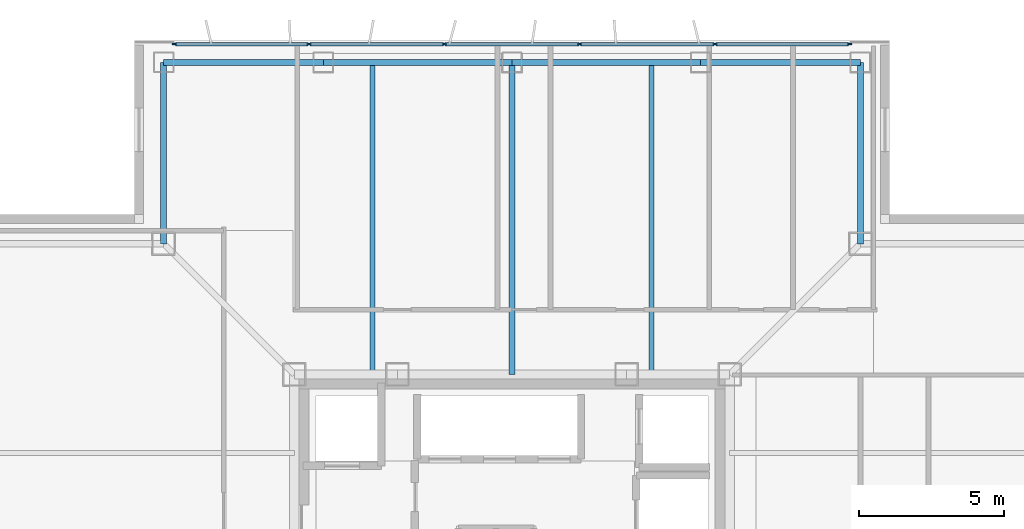
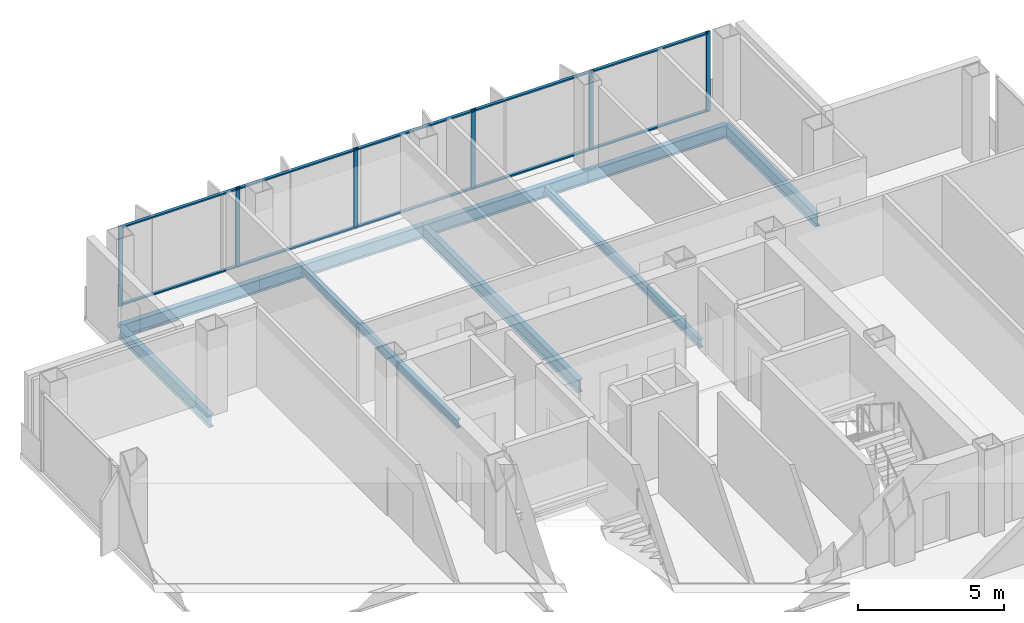
# One storey, part 6 of 15: 16 members, 9 beams, 1 element without a shape of its own.
"""IFC4 building model written with IfcOpenShell, lengths in metres."""

from ifc_helpers import new_model, si_unit, direction, frame, origin, origin_2d, place, context, subcontext, project, spatial, rectangle, i_section, extrude, material, layer, layer_set, material_profile, profile_set, type_object, element, aggregate, save


model = new_model("IFC4")

# Units and contexts
model_context = context("Model", 3, precision=1e-05, world=origin(), true_north=direction((0.0, 1.0)))
body_context = subcontext(model_context, "Body", "Model", "MODEL_VIEW")
ifc_project = project(units=[si_unit("LENGTHUNIT", "METRE"), si_unit("AREAUNIT", "SQUARE_METRE"), si_unit("VOLUMEUNIT", "CUBIC_METRE"), si_unit("PLANEANGLEUNIT", "RADIAN"), si_unit("MASSUNIT", "GRAM", prefix="KILO")], contexts=[model_context])

# Site, building, storey
site_placement = place(None, origin())
site = spatial("IfcSite", under=ifc_project, at=site_placement, CompositionType="ELEMENT")
building_placement = place(site_placement, origin())
building = spatial("IfcBuilding", under=site, at=building_placement, Name="Trevonay Congress Spire", CompositionType="ELEMENT")
storey_placement = place(building_placement, frame((0.0, 0.0, 250.39990234375)))
storey = spatial("IfcBuildingStorey", under=building, at=storey_placement, Name="L65", CompositionType="ELEMENT", Elevation=250.39990234375)

# Beams
ifc_material_1 = material(Name="Steel ASTM A572 Grade 50", Category="steel")
ifc_material_profile_1 = material_profile(ifc_material_1, i_section(OverallWidth=0.2119140625, OverallDepth=0.5439453125, WebThickness=0.01318359375, FlangeThickness=0.021240234375, FilletRadius=0.014892578125, at=origin_2d()), Name="W530x123")
ifc_profile_set_1 = profile_set([ifc_material_profile_1], Name="Steel ASTM A572 Grade 50")
beam_type_1 = type_object("IfcBeamType", Name="BM-GIRD-W530X123", PredefinedType="BEAM", material=ifc_profile_set_1)
beam_1_placement = place(storey_placement, frame((0.0, 7.5, -0.511962890625), z_axis=(0.0, 1.0, 0.0), x_axis=(-1.0, 0.0, 0.0)))
element("IfcBeam", 1, at=beam_1_placement, inside=storey, type_object=beam_type_1, Name="L65 structural beam BM-L65-GC-N", PredefinedType="BEAM", context=body_context, shape_type="SweptSolid", body=[
    extrude(i_section(OverallWidth=0.2119140625, OverallDepth=0.5439453125, WebThickness=0.01318359375, FlangeThickness=0.021240234375, FilletRadius=0.014892578125, at=origin_2d()), origin(), (0.0, 0.0, 1.0), 10.75),
])
ifc_material_profile_2 = material_profile(ifc_material_1, i_section(OverallWidth=0.208984375, OverallDepth=0.532958984375, WebThickness=0.01025390625, FlangeThickness=0.015625, FilletRadius=0.014892578125, at=origin_2d()), Name="W530x92")
ifc_profile_set_2 = profile_set([ifc_material_profile_2], Name="Steel ASTM A572 Grade 50")
beam_type_2 = type_object("IfcBeamType", Name="BM-RING-W530X92", PredefinedType="BEAM", material=ifc_profile_set_2)
beam_2_placement = place(storey_placement, frame((-12.0, 18.25, -0.50634765625), z_axis=(1.0, 0.0, 0.0), x_axis=(0.0, 1.0, 0.0)))
element("IfcBeam", 2, at=beam_2_placement, inside=storey, type_object=beam_type_2, Name="L65 structural beam BM-L65-PN1", PredefinedType="BEAM", context=body_context, shape_type="SweptSolid", body=[
    extrude(i_section(OverallWidth=0.208984375, OverallDepth=0.532958984375, WebThickness=0.01025390625, FlangeThickness=0.015625, FilletRadius=0.014892578125, at=origin_2d()), origin(), (0.0, 0.0, 1.0), 5.5),
])
for number, where, z_axis, x_axis, name in (
    (3, (-6.5, 18.25, -0.50634765625), (1.0, 0.0, 0.0), (0.0, 1.0, 0.0), "L65 structural beam BM-L65-PN2"),
    (4, (0.0, 18.25, -0.50634765625), (1.0, 0.0, 0.0), (0.0, 1.0, 0.0), "L65 structural beam BM-L65-PN3"),
):
    element("IfcBeam", number, at=place(storey_placement, frame(where, z_axis=z_axis, x_axis=x_axis)), inside=storey, type_object=beam_type_2, Name=name, PredefinedType="BEAM", context=body_context, shape_type="SweptSolid", body=[
        extrude(i_section(OverallWidth=0.208984375, OverallDepth=0.532958984375, WebThickness=0.01025390625, FlangeThickness=0.015625, FilletRadius=0.014892578125, at=origin_2d()), origin(), (0.0, 0.0, 1.0), 6.5),
    ])
beam_3_placement = place(storey_placement, frame((6.5, 18.25, -0.50634765625), z_axis=(1.0, 0.0, 0.0), x_axis=(0.0, 1.0, 0.0)))
element("IfcBeam", 5, at=beam_3_placement, inside=storey, type_object=beam_type_2, Name="L65 structural beam BM-L65-PN4", PredefinedType="BEAM", context=body_context, shape_type="SweptSolid", body=[
    extrude(i_section(OverallWidth=0.208984375, OverallDepth=0.532958984375, WebThickness=0.01025390625, FlangeThickness=0.015625, FilletRadius=0.014892578125, at=origin_2d()), origin(), (0.0, 0.0, 1.0), 5.5),
])
for number, where, z_axis, x_axis, name in (
    (6, (12.0, 18.25, -0.50634765625), (0.0, -1.0, 0.0), (1.0, 0.0, 0.0), "L65 structural beam BM-L65-N1NE"),
    (7, (-12.0, 18.25, -0.50634765625), (0.0, -1.0, 0.0), (1.0, 0.0, 0.0), "L65 structural beam BM-L65-N1NW"),
):
    element("IfcBeam", number, at=place(storey_placement, frame(where, z_axis=z_axis, x_axis=x_axis)), inside=storey, type_object=beam_type_2, Name=name, PredefinedType="BEAM", context=body_context, shape_type="SweptSolid", body=[
        extrude(i_section(OverallWidth=0.208984375, OverallDepth=0.532958984375, WebThickness=0.01025390625, FlangeThickness=0.015625, FilletRadius=0.014892578125, at=origin_2d()), origin(), (0.0, 0.0, 1.0), 6.25),
    ])

# Curtain wall, members
ifc_material_2 = material(Name="Pale Anodised Aluminium EN AW-6063-T6", Category="aluminium")
ifc_layer = layer(ifc_material_2, 0.1650390625, Name="Pale Anodised Aluminium EN AW-6063-T6")
ifc_layer_set = layer_set([ifc_layer], Name="Pale Anodised Aluminium EN AW-6063-T6")
curtain_wall_type = type_object("IfcCurtainWallType", Name="CW-SYS05-DIPLOM-PALE-METAL", PredefinedType="NOTDEFINED", material=ifc_layer_set)
curtain_wall_placement = place(storey_placement, origin())
curtain_wall = element("IfcCurtainWall", 8, at=curtain_wall_placement, inside=storey, type_object=curtain_wall_type, Name="L65 N unitised curtain wall", PredefinedType="NOTDEFINED")
ifc_material_profile_3 = material_profile(ifc_material_2, rectangle(XDim=0.06005859375, YDim=0.159912109375, at=origin_2d()), Name="CW-MULLION-160-ALUMINIUM")
ifc_profile_set_3 = profile_set([ifc_material_profile_3], Name="Pale Anodised Aluminium EN AW-6063-T6")
member_type_1 = type_object("IfcMemberType", Name="CW-MULLION-160-ALUMINIUM", PredefinedType="MULLION", material=ifc_profile_set_3)
member_1_placement = place(storey_placement, frame((-11.6201171875, 18.8798828125, 0.0), z_axis=(0.0, 0.0, 1.0), x_axis=(0.0, 1.0, 0.0)))
member_1 = element("IfcMember", 9, at=member_1_placement, type_object=member_type_1, Name="CW05 mullion 1", PredefinedType="MULLION", context=body_context, shape_type="SweptSolid", body=[
    extrude(rectangle(XDim=0.06005859375, YDim=0.159912109375, at=origin_2d()), origin(), (0.0, 0.0, 1.0), 3.360107421875),
])
member_2_placement = place(storey_placement, frame((-6.989990234375, 18.8798828125, 0.0), z_axis=(0.0, 0.0, 1.0), x_axis=(0.0, 1.0, 0.0)))
member_2 = element("IfcMember", 10, at=member_2_placement, type_object=member_type_1, Name="CW05 mullion 2", PredefinedType="MULLION", context=body_context, shape_type="SweptSolid", body=[
    extrude(rectangle(XDim=0.06005859375, YDim=0.159912109375, at=origin_2d()), origin(), (0.0, 0.0, 1.0), 3.360107421875),
])
member_3_placement = place(storey_placement, frame((-2.330078125, 18.8798828125, 0.0), z_axis=(0.0, 0.0, 1.0), x_axis=(0.0, 1.0, 0.0)))
member_3 = element("IfcMember", 11, at=member_3_placement, type_object=member_type_1, Name="CW05 mullion 3", PredefinedType="MULLION", context=body_context, shape_type="SweptSolid", body=[
    extrude(rectangle(XDim=0.06005859375, YDim=0.159912109375, at=origin_2d()), origin(), (0.0, 0.0, 1.0), 3.360107421875),
])
member_4_placement = place(storey_placement, frame((2.330078125, 18.8798828125, 0.0), z_axis=(0.0, 0.0, 1.0), x_axis=(0.0, 1.0, 0.0)))
member_4 = element("IfcMember", 12, at=member_4_placement, type_object=member_type_1, Name="CW05 mullion 4", PredefinedType="MULLION", context=body_context, shape_type="SweptSolid", body=[
    extrude(rectangle(XDim=0.06005859375, YDim=0.159912109375, at=origin_2d()), origin(), (0.0, 0.0, 1.0), 3.360107421875),
])
member_5_placement = place(storey_placement, frame((6.989990234375, 18.8798828125, 0.0), z_axis=(0.0, 0.0, 1.0), x_axis=(0.0, 1.0, 0.0)))
member_5 = element("IfcMember", 13, at=member_5_placement, type_object=member_type_1, Name="CW05 mullion 5", PredefinedType="MULLION", context=body_context, shape_type="SweptSolid", body=[
    extrude(rectangle(XDim=0.06005859375, YDim=0.159912109375, at=origin_2d()), origin(), (0.0, 0.0, 1.0), 3.360107421875),
])
member_6_placement = place(storey_placement, frame((11.6201171875, 18.8798828125, 0.0), z_axis=(0.0, 0.0, 1.0), x_axis=(0.0, 1.0, 0.0)))
member_6 = element("IfcMember", 14, at=member_6_placement, type_object=member_type_1, Name="CW05 mullion 6", PredefinedType="MULLION", context=body_context, shape_type="SweptSolid", body=[
    extrude(rectangle(XDim=0.06005859375, YDim=0.159912109375, at=origin_2d()), origin(), (0.0, 0.0, 1.0), 3.360107421875),
])
ifc_material_profile_4 = material_profile(ifc_material_2, rectangle(XDim=0.1201171875, YDim=0.06005859375, at=origin_2d()), Name="CW-TRANSOM-120-ALUMINIUM")
ifc_profile_set_4 = profile_set([ifc_material_profile_4], Name="Pale Anodised Aluminium EN AW-6063-T6")
member_type_2 = type_object("IfcMemberType", Name="CW-TRANSOM-120-ALUMINIUM", PredefinedType="USERDEFINED", material=ifc_profile_set_4)
member_7_placement = place(storey_placement, frame((-11.590087890625, 18.8798828125, 0.06005859375), z_axis=(1.0, 0.0, 0.0), x_axis=(0.0, 1.0, 0.0)))
member_7 = element("IfcMember", 15, at=member_7_placement, type_object=member_type_2, Name="CW05 transom 1.1", ObjectType="TRANSOM", PredefinedType="USERDEFINED", context=body_context, shape_type="SweptSolid", body=[
    extrude(rectangle(XDim=0.1201171875, YDim=0.06005859375, at=origin_2d()), origin(), (0.0, 0.0, 1.0), 4.570068359375),
])
member_8_placement = place(storey_placement, frame((-11.590087890625, 18.8798828125, 3.300048828125), z_axis=(1.0, 0.0, 0.0), x_axis=(0.0, 1.0, 0.0)))
member_8 = element("IfcMember", 16, at=member_8_placement, type_object=member_type_2, Name="CW05 transom 1.2", ObjectType="TRANSOM", PredefinedType="USERDEFINED", context=body_context, shape_type="SweptSolid", body=[
    extrude(rectangle(XDim=0.1201171875, YDim=0.06005859375, at=origin_2d()), origin(), (0.0, 0.0, 1.0), 4.570068359375),
])
member_9_placement = place(storey_placement, frame((-6.9599609375, 18.8798828125, 0.06005859375), z_axis=(1.0, 0.0, 0.0), x_axis=(0.0, 1.0, 0.0)))
member_9 = element("IfcMember", 17, at=member_9_placement, type_object=member_type_2, Name="CW05 transom 2.1", ObjectType="TRANSOM", PredefinedType="USERDEFINED", context=body_context, shape_type="SweptSolid", body=[
    extrude(rectangle(XDim=0.1201171875, YDim=0.06005859375, at=origin_2d()), origin(), (0.0, 0.0, 1.0), 4.599853515625),
])
member_10_placement = place(storey_placement, frame((-6.9599609375, 18.8798828125, 3.300048828125), z_axis=(1.0, 0.0, 0.0), x_axis=(0.0, 1.0, 0.0)))
member_10 = element("IfcMember", 18, at=member_10_placement, type_object=member_type_2, Name="CW05 transom 2.2", ObjectType="TRANSOM", PredefinedType="USERDEFINED", context=body_context, shape_type="SweptSolid", body=[
    extrude(rectangle(XDim=0.1201171875, YDim=0.06005859375, at=origin_2d()), origin(), (0.0, 0.0, 1.0), 4.599853515625),
])
member_11_placement = place(storey_placement, frame((-2.300048828125, 18.8798828125, 0.06005859375), z_axis=(1.0, 0.0, 0.0), x_axis=(0.0, 1.0, 0.0)))
member_11 = element("IfcMember", 19, at=member_11_placement, type_object=member_type_2, Name="CW05 transom 3.1", ObjectType="TRANSOM", PredefinedType="USERDEFINED", context=body_context, shape_type="SweptSolid", body=[
    extrude(rectangle(XDim=0.1201171875, YDim=0.06005859375, at=origin_2d()), origin(), (0.0, 0.0, 1.0), 4.60009765625),
])
member_12_placement = place(storey_placement, frame((-2.300048828125, 18.8798828125, 3.300048828125), z_axis=(1.0, 0.0, 0.0), x_axis=(0.0, 1.0, 0.0)))
member_12 = element("IfcMember", 20, at=member_12_placement, type_object=member_type_2, Name="CW05 transom 3.2", ObjectType="TRANSOM", PredefinedType="USERDEFINED", context=body_context, shape_type="SweptSolid", body=[
    extrude(rectangle(XDim=0.1201171875, YDim=0.06005859375, at=origin_2d()), origin(), (0.0, 0.0, 1.0), 4.60009765625),
])
member_13_placement = place(storey_placement, frame((2.360107421875, 18.8798828125, 0.06005859375), z_axis=(1.0, 0.0, 0.0), x_axis=(0.0, 1.0, 0.0)))
member_13 = element("IfcMember", 21, at=member_13_placement, type_object=member_type_2, Name="CW05 transom 4.1", ObjectType="TRANSOM", PredefinedType="USERDEFINED", context=body_context, shape_type="SweptSolid", body=[
    extrude(rectangle(XDim=0.1201171875, YDim=0.06005859375, at=origin_2d()), origin(), (0.0, 0.0, 1.0), 4.599853515625),
])
member_14_placement = place(storey_placement, frame((2.360107421875, 18.8798828125, 3.300048828125), z_axis=(1.0, 0.0, 0.0), x_axis=(0.0, 1.0, 0.0)))
member_14 = element("IfcMember", 22, at=member_14_placement, type_object=member_type_2, Name="CW05 transom 4.2", ObjectType="TRANSOM", PredefinedType="USERDEFINED", context=body_context, shape_type="SweptSolid", body=[
    extrude(rectangle(XDim=0.1201171875, YDim=0.06005859375, at=origin_2d()), origin(), (0.0, 0.0, 1.0), 4.599853515625),
])
member_15_placement = place(storey_placement, frame((7.02001953125, 18.8798828125, 0.06005859375), z_axis=(1.0, 0.0, 0.0), x_axis=(0.0, 1.0, 0.0)))
member_15 = element("IfcMember", 23, at=member_15_placement, type_object=member_type_2, Name="CW05 transom 5.1", ObjectType="TRANSOM", PredefinedType="USERDEFINED", context=body_context, shape_type="SweptSolid", body=[
    extrude(rectangle(XDim=0.1201171875, YDim=0.06005859375, at=origin_2d()), origin(), (0.0, 0.0, 1.0), 4.570068359375),
])
member_16_placement = place(storey_placement, frame((7.02001953125, 18.8798828125, 3.300048828125), z_axis=(1.0, 0.0, 0.0), x_axis=(0.0, 1.0, 0.0)))
member_16 = element("IfcMember", 24, at=member_16_placement, type_object=member_type_2, Name="CW05 transom 5.2", ObjectType="TRANSOM", PredefinedType="USERDEFINED", context=body_context, shape_type="SweptSolid", body=[
    extrude(rectangle(XDim=0.1201171875, YDim=0.06005859375, at=origin_2d()), origin(), (0.0, 0.0, 1.0), 4.570068359375),
])
aggregate(curtain_wall, [member_1, member_2, member_3, member_4, member_5, member_6, member_7, member_8, member_9, member_10, member_11, member_12, member_13, member_14, member_15, member_16])

# Beams
ifc_material_profile_5 = material_profile(ifc_material_1, i_section(OverallWidth=0.172119140625, OverallDepth=0.35791015625, WebThickness=0.0078125, FlangeThickness=0.01318359375, FilletRadius=0.011962890625, at=origin_2d()), Name="W360x57.8")
ifc_profile_set_5 = profile_set([ifc_material_profile_5], Name="Steel ASTM A572 Grade 50")
beam_type_3 = type_object("IfcBeamType", Name="JS-COMP-W360X57", PredefinedType="JOIST", material=ifc_profile_set_5)
for number, where, z_axis, x_axis, name in (
    (25, (-4.800048828125, 7.5, -0.4189453125), (0.0, 1.0, 0.0), (-1.0, 0.0, 0.0), "L65 structural beam JS-L65-NS-N1"),
    (26, (4.800048828125, 7.5, -0.4189453125), (0.0, 1.0, 0.0), (-1.0, 0.0, 0.0), "L65 structural beam JS-L65-NS-N3"),
):
    element("IfcBeam", number, at=place(storey_placement, frame(where, z_axis=z_axis, x_axis=x_axis)), inside=storey, type_object=beam_type_3, Name=name, PredefinedType="JOIST", context=body_context, shape_type="SweptSolid", body=[
        extrude(i_section(OverallWidth=0.172119140625, OverallDepth=0.35791015625, WebThickness=0.0078125, FlangeThickness=0.01318359375, FilletRadius=0.011962890625, at=origin_2d()), origin(), (0.0, 0.0, 1.0), 10.75),
    ])

save(model, "model.ifc")
